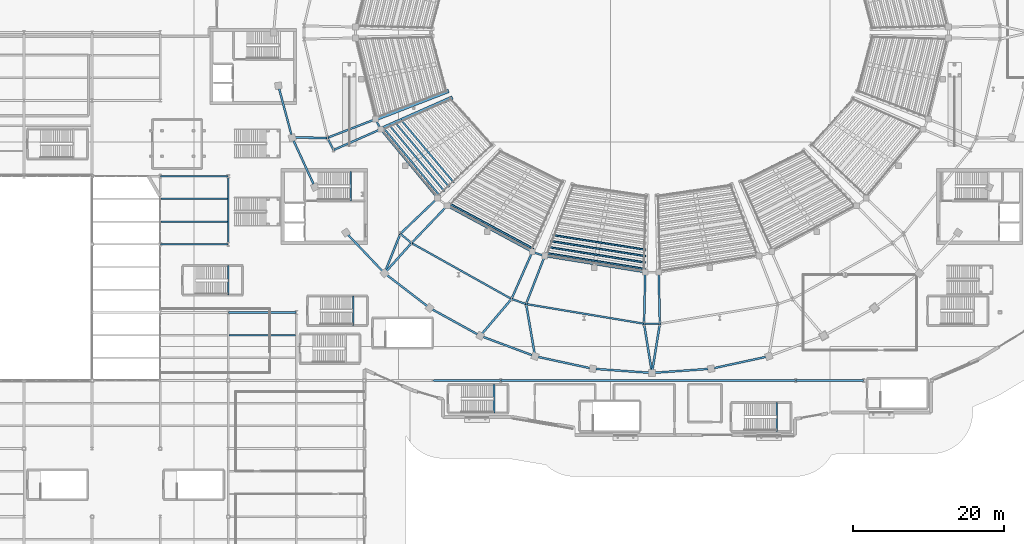
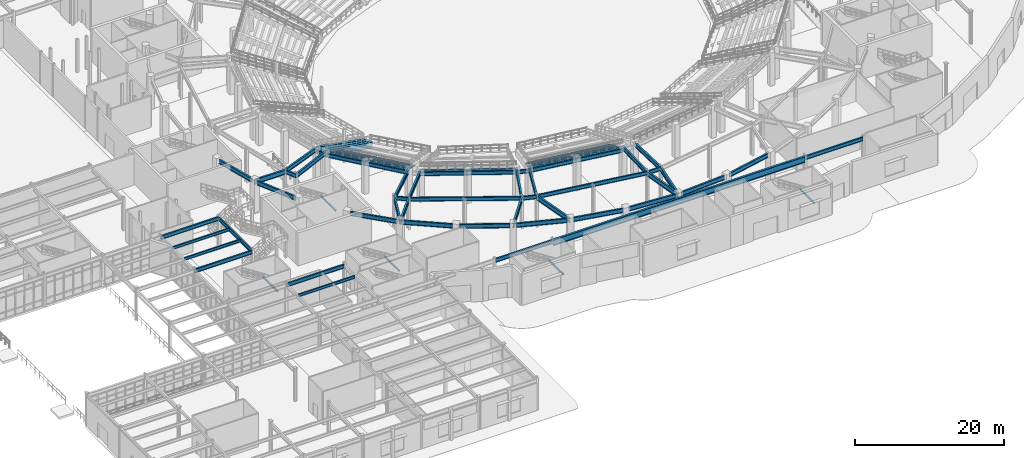
# One storey, part 31 of 79: 62 beams.
"""IFC4 building model written with IfcOpenShell, lengths in metres."""

import ifcopenshell
import ifcopenshell.guid

model = None  # the IFC model being written
_history = None  # IfcOwnerHistory: only IFC2X3 demands one
_inside = {}  # id of a spatial element -> (the spatial element, [elements in it])
_under = {}  # id of a project, library or spatial element -> (it, [spatial elements below it])
_declared = {}  # id of a project -> (the project, [libraries it declares])
_typed = {}  # id of a type object -> (the type object, [elements of that type])
_made_of = {}  # id of a material, layer set ... -> (it, [elements and type objects made of it])


def new_model(schema):
    """Start an empty IFC model of exactly this schema.

    Asked for "IFC4X3", IfcOpenShell would pick the latest addendum, in which some entities
    have other attributes; the version numbers below select the first issue.
    IFC2X3 requires an IfcOwnerHistory on every rooted entity: one is made here for all.
    """
    global model, _history
    if schema == "IFC4X3":
        model = ifcopenshell.file(schema_version=(4, 3, 0, 0))
    else:
        model = ifcopenshell.file(schema=schema)
    _inside.clear()
    _under.clear()
    _declared.clear()
    _typed.clear()
    _made_of.clear()
    _history = None
    if model.schema == "IFC2X3":
        org = make("IfcOrganization", Name="unknown")
        user = make(
            "IfcPersonAndOrganization",
            ThePerson=make("IfcPerson", FamilyName="unknown"),
            TheOrganization=org,
        )
        app = make(
            "IfcApplication",
            ApplicationDeveloper=org,
            Version="unknown",
            ApplicationFullName="unknown",
            ApplicationIdentifier="unknown",
        )
        _history = make(
            "IfcOwnerHistory",
            OwningUser=user,
            OwningApplication=app,
            ChangeAction="ADDED",
            CreationDate=0,
        )
    return model


def make(cls, **values):
    """One entity of the class cls with the attributes given. An attribute that is None is left unset."""
    return model.create_entity(
        cls, **{name: value for name, value in values.items() if value is not None}
    )


def rooted(cls, **values):
    """An entity with a GlobalId (a new one), such as an element, a storey or a relation."""
    return make(cls, GlobalId=ifcopenshell.guid.new(), OwnerHistory=_history, **values)


def si_unit(unit_type, name, prefix=None):
    """IfcSIUnit, for example si_unit("LENGTHUNIT", "METRE", prefix="MILLI")."""
    return make("IfcSIUnit", UnitType=unit_type, Prefix=prefix, Name=name)


def assignment(units):
    """IfcUnitAssignment: the units of a project."""
    return None if units is None else make("IfcUnitAssignment", Units=units)


def point(xyz):
    """IfcCartesianPoint."""
    return None if xyz is None else make("IfcCartesianPoint", Coordinates=xyz)


def direction(xyz):
    """IfcDirection."""
    return None if xyz is None else make("IfcDirection", DirectionRatios=xyz)


def frame(location, z_axis=None, x_axis=None):
    """IfcAxis2Placement3D, a coordinate frame: its origin and axes. An axis left out is left unset."""
    return make(
        "IfcAxis2Placement3D",
        Location=point(location),
        Axis=direction(z_axis),
        RefDirection=direction(x_axis),
    )


def frame_2d(location, x_axis=None):
    """IfcAxis2Placement2D, a coordinate frame in the plane: its origin and x axis."""
    return make(
        "IfcAxis2Placement2D", Location=point(location), RefDirection=direction(x_axis)
    )


def origin():
    """The frame at (0, 0, 0) with its axes left unset."""
    return frame((0.0, 0.0, 0.0))


def origin_2d():
    """The frame at (0, 0) in the plane with its x axis left unset."""
    return frame_2d((0.0, 0.0))


def place(relative_to, where):
    """IfcLocalPlacement: puts the frame where relative to a parent placement (None: the world)."""
    return make(
        "IfcLocalPlacement", PlacementRelTo=relative_to, RelativePlacement=where
    )


def context(
    kind, dimensions, precision=None, world=None, true_north=None, identifier=None
):
    """IfcGeometricRepresentationContext, for example the 3D "Model" context."""
    return make(
        "IfcGeometricRepresentationContext",
        ContextIdentifier=identifier,
        ContextType=kind,
        CoordinateSpaceDimension=dimensions,
        Precision=precision,
        WorldCoordinateSystem=world,
        TrueNorth=true_north,
    )


def subcontext(parent, identifier, kind, view, scale=None):
    """IfcGeometricRepresentationSubContext, for example "Body" below "Model"."""
    return make(
        "IfcGeometricRepresentationSubContext",
        ContextIdentifier=identifier,
        ContextType=kind,
        ParentContext=parent,
        TargetScale=scale,
        TargetView=view,
    )


def project(units=None, contexts=None):
    """IfcProject with its units and contexts."""
    return rooted(
        "IfcProject",
        Name="project",
        RepresentationContexts=contexts,
        UnitsInContext=assignment(units),
    )


def spatial(cls, under=None, at=None, **own):
    """A site, building, storey or space (cls), placed at a placement, below another one or the project."""
    s = rooted(cls, ObjectPlacement=at, **own)
    if under is not None:
        _under.setdefault(under.id(), (under, []))[1].append(s)
    return s


def profile(cls, at=None, kind="AREA", **sizes):
    """A parametric profile (cls). Its sizes go by their IFC names, for example OverallWidth=200.0."""
    return make(cls, ProfileType=kind, Position=at, **sizes)


def rectangle(**sizes):
    """IfcRectangleProfileDef."""
    return profile("IfcRectangleProfileDef", **sizes)


def hollow_rectangle(**sizes):
    """IfcRectangleHollowProfileDef."""
    return profile("IfcRectangleHollowProfileDef", **sizes)


def i_section(**sizes):
    """IfcIShapeProfileDef."""
    return profile("IfcIShapeProfileDef", **sizes)


def extrude(swept, where, along, depth):
    """IfcExtrudedAreaSolid: the profile swept, set in the frame where, extruded along a direction by depth."""
    return make(
        "IfcExtrudedAreaSolid",
        SweptArea=swept,
        Position=where,
        ExtrudedDirection=direction(along),
        Depth=depth,
    )


def shape(context_of_items, identifier, shape_type, items):
    """IfcShapeRepresentation: the items that make up one representation, for example the "Body"."""
    return make(
        "IfcShapeRepresentation",
        ContextOfItems=context_of_items,
        RepresentationIdentifier=identifier,
        RepresentationType=shape_type,
        Items=items,
    )


def material(Name=None, Category=None):
    """IfcMaterial."""
    return make("IfcMaterial", Name=Name, Category=Category)


def material_profile(
    of_material, cross_section, Name=None, Category=None, Priority=None
):
    """IfcMaterialProfile: a cross section and its material."""
    return make(
        "IfcMaterialProfile",
        Name=Name,
        Material=of_material,
        Profile=cross_section,
        Priority=Priority,
        Category=Category,
    )


def profile_set(profiles, Name=None, composite=None):
    """IfcMaterialProfileSet."""
    return make(
        "IfcMaterialProfileSet",
        Name=Name,
        MaterialProfiles=profiles,
        CompositeProfile=composite,
    )


def made_of(thing, what):
    """Note that an element or type object is made of a material, layer set ...; save() writes the relation."""
    if what is not None:
        _made_of.setdefault(what.id(), (what, []))[1].append(thing)
    return thing


def type_object(cls, material=None, **own):
    """A type object (cls), such as IfcWallType, which elements share."""
    return made_of(rooted(cls, **own), material)


def element(
    cls,
    number,
    at=None,
    inside=None,
    cuts=None,
    type_object=None,
    material=None,
    context=None,
    identifier="Body",
    shape_type=None,
    held_by="IfcProductDefinitionShape",
    body=None,
    shapes=None,
    **own,
):
    """One element of the class cls, such as IfcWall. Its Tag is "e" and its number.

    at: its placement. inside: the storey or other place that contains it. cuts: it is an
    opening in that element (IfcRelVoidsElement). A single representation is given by context,
    identifier, shape_type and body (its items); several are given by shapes. held_by: the class
    of the entity that holds the representations. save() writes the other relations.
    """
    e = rooted(cls, Tag="e%d" % number, ObjectPlacement=at, **own)
    if body is not None:
        shapes = [shape(context, identifier, shape_type, body)]
    if shapes is not None:
        e.Representation = make(held_by, Representations=shapes)
    if inside is not None:
        _inside.setdefault(inside.id(), (inside, []))[1].append(e)
    if cuts is not None:
        rooted(
            "IfcRelVoidsElement", RelatingBuildingElement=cuts, RelatedOpeningElement=e
        )
    if type_object is not None:
        _typed.setdefault(type_object.id(), (type_object, []))[1].append(e)
    return made_of(e, material)


def aggregate(whole, parts):
    """IfcRelAggregates: a whole, such as a stair, and the parts it consists of."""
    return rooted("IfcRelAggregates", RelatingObject=whole, RelatedObjects=parts)


def save(model, path):
    """Write the relations noted so far, then the file.

    IfcRelAggregates (storeys below a building ...), IfcRelContainedInSpatialStructure (elements
    in a storey), IfcRelDefinesByType, IfcRelAssociatesMaterial and IfcRelDeclares: one each for
    every whole, place, type object, material and project.
    """
    for whole, parts in _under.values():
        aggregate(whole, parts)
    for where, things in _inside.values():
        rooted(
            "IfcRelContainedInSpatialStructure",
            RelatedElements=things,
            RelatingStructure=where,
        )
    for kind, things in _typed.values():
        rooted("IfcRelDefinesByType", RelatedObjects=things, RelatingType=kind)
    for what, things in _made_of.values():
        rooted("IfcRelAssociatesMaterial", RelatedObjects=things, RelatingMaterial=what)
    for by, libraries in _declared.values():
        rooted("IfcRelDeclares", RelatingContext=by, RelatedDefinitions=libraries)
    model.write(path)


model = new_model("IFC4")

# Units and contexts
model_context = context("Model", 3, precision=1e-05, world=origin(), true_north=direction((0.0, 1.0)))
body_context = subcontext(model_context, "Body", "Model", "MODEL_VIEW")
ifc_project = project(units=[si_unit("LENGTHUNIT", "METRE"), si_unit("AREAUNIT", "SQUARE_METRE"), si_unit("VOLUMEUNIT", "CUBIC_METRE"), si_unit("PLANEANGLEUNIT", "RADIAN"), si_unit("MASSUNIT", "GRAM", prefix="KILO")], contexts=[model_context])

# Site, building, storey
site_placement = place(None, origin())
site = spatial("IfcSite", under=ifc_project, at=site_placement, CompositionType="ELEMENT")
building_placement = place(site_placement, origin())
building = spatial("IfcBuilding", under=site, at=building_placement, Name="Glasvene Arena", CompositionType="ELEMENT")
storey_placement = place(building_placement, origin())
storey = spatial("IfcBuildingStorey", under=building, at=storey_placement, Name="L00", CompositionType="ELEMENT", Elevation=0.0)

# Beams
ifc_material_1 = material(Name="Steel S355J2", Category="steel")
ifc_material_profile_1 = material_profile(ifc_material_1, i_section(OverallWidth=0.300048828125, OverallDepth=1.0, WebThickness=0.0166015625, FlangeThickness=0.031005859375, FilletRadius=0.030029296875, at=origin_2d()), Name="UKB 1016x305x272")
ifc_profile_set_1 = profile_set([ifc_material_profile_1], Name="Steel S355J2")
beam_type_1 = type_object("IfcBeamType", Name="BM-GIRD-1016", PredefinedType="BEAM", material=ifc_profile_set_1)
beam_1_placement = place(storey_placement, frame((72.050048828125, 27.0, 4.6201171875), z_axis=(1.0, 0.0, 0.0), x_axis=(0.0, 1.0, 0.0)))
element("IfcBeam", 1, at=beam_1_placement, inside=storey, type_object=beam_type_1, Name="Primary X girder L00-0300", PredefinedType="BEAM", context=body_context, shape_type="SweptSolid", body=[
    extrude(i_section(OverallWidth=0.300048828125, OverallDepth=1.0, WebThickness=0.0166015625, FlangeThickness=0.031005859375, FilletRadius=0.030029296875, at=origin_2d()), origin(), (0.0, 0.0, 1.0), 38.89990234375),
])
ifc_material_profile_2 = material_profile(ifc_material_1, i_section(OverallWidth=0.228271484375, OverallDepth=0.607666015625, WebThickness=0.010986328125, FlangeThickness=0.017333984375, FilletRadius=0.0126953125, at=origin_2d()), Name="UKB 610x229x113")
ifc_profile_set_2 = profile_set([ifc_material_profile_2], Name="Steel S355J2")
beam_type_2 = type_object("IfcBeamType", Name="BM-GIRD-610", PredefinedType="BEAM", material=ifc_profile_set_2)
for number, where, z_axis, x_axis, name in (
    (2, (63.050048828125, 27.0, 4.816162109375), (1.0, 0.0, 0.0), (0.0, 1.0, 0.0), "Primary X girder L00-0299"),
    (3, (111.050048828125, 27.0, 4.816162109375), (1.0, 0.0, 0.0), (0.0, 1.0, 0.0), "Primary X girder L00-0301"),
    (4, (36.050048828125, 36.0, 4.816162109375), (1.0, 0.0, 0.0), (0.0, 1.0, 0.0), "Primary X girder L00-0304"),
    (5, (27.050048828125, 45.0, 4.816162109375), (1.0, 0.0, 0.0), (0.0, 1.0, 0.0), "Primary X girder L00-0306"),
    (6, (27.050048828125, 54.0, 4.816162109375), (1.0, 0.0, 0.0), (0.0, 1.0, 0.0), "Primary X girder L00-0310"),
):
    element("IfcBeam", number, at=place(storey_placement, frame(where, z_axis=z_axis, x_axis=x_axis)), inside=storey, type_object=beam_type_2, Name=name, PredefinedType="BEAM", context=body_context, shape_type="SweptSolid", body=[
        extrude(i_section(OverallWidth=0.228271484375, OverallDepth=0.607666015625, WebThickness=0.010986328125, FlangeThickness=0.017333984375, FilletRadius=0.0126953125, at=origin_2d()), origin(), (0.0, 0.0, 1.0), 8.89990234375),
    ])
beam_2_placement = place(storey_placement, frame((36.0, 45.2451171875, 4.816162109375), z_axis=(0.0, 1.0, 0.0), x_axis=(-1.0, 0.0, 0.0)))
element("IfcBeam", 7, at=beam_2_placement, inside=storey, type_object=beam_type_2, Name="Primary Y girder L00-0387", PredefinedType="BEAM", context=body_context, shape_type="SweptSolid", body=[
    extrude(i_section(OverallWidth=0.228271484375, OverallDepth=0.607666015625, WebThickness=0.010986328125, FlangeThickness=0.017333984375, FilletRadius=0.0126953125, at=origin_2d()), origin(), (0.0, 0.0, 1.0), 8.57568359375),
])
beam_3_placement = place(storey_placement, frame((49.113037109375, 59.077392578125, 4.81494140625), z_axis=(0.443576698242, -0.896236415672, 0.0), x_axis=(0.896236415672, 0.443576698242, 0.0)))
element("IfcBeam", 8, at=beam_3_placement, inside=storey, type_object=beam_type_2, Name="Concourse inner ring girder L00-18", PredefinedType="BEAM", context=body_context, shape_type="SweptSolid", body=[
    extrude(i_section(OverallWidth=0.228271484375, OverallDepth=0.607666015625, WebThickness=0.010986328125, FlangeThickness=0.017333984375, FilletRadius=0.0126953125, at=origin_2d()), origin(), (0.0, 0.0, 1.0), 1.80078125),
])
beam_4_placement = place(storey_placement, frame((55.452880859375, 61.53662109375, 4.35009765625), z_axis=(0.455825325707, -0.890069251488, 0.0), x_axis=(0.890069251488, 0.455825325707, 0.0)))
element("IfcBeam", 9, at=beam_4_placement, inside=storey, type_object=beam_type_2, Name="Mid-bowl ring girder L00-18", PredefinedType="BEAM", context=body_context, shape_type="SweptSolid", body=[
    extrude(i_section(OverallWidth=0.228271484375, OverallDepth=0.607666015625, WebThickness=0.010986328125, FlangeThickness=0.017333984375, FilletRadius=0.0126953125, at=origin_2d()), origin(), (0.0, 0.0, 1.0), 1.4931640625),
])
beam_5_placement = place(storey_placement, frame((56.133544921875, 60.20751953125, 4.35009765625), z_axis=(0.636971685607, -0.770887197802, 0.0), x_axis=(0.770887197802, 0.636971685607, 0.0)))
element("IfcBeam", 10, at=beam_5_placement, inside=storey, type_object=beam_type_2, Name="Mid-bowl ring girder L00-19", PredefinedType="BEAM", context=body_context, shape_type="SweptSolid", body=[
    extrude(i_section(OverallWidth=0.228271484375, OverallDepth=0.607666015625, WebThickness=0.010986328125, FlangeThickness=0.017333984375, FilletRadius=0.0126953125, at=origin_2d()), origin(), (0.0, 0.0, 1.0), 11.8154296875),
])
beam_6_placement = place(storey_placement, frame((58.743408203125, 46.40087890625, 4.81494140625), z_axis=(0.766930434436, -0.641730246082, 0.0), x_axis=(0.641730246082, 0.766930434436, 0.0)))
element("IfcBeam", 11, at=beam_6_placement, inside=storey, type_object=beam_type_2, Name="Concourse inner ring girder L00-20", PredefinedType="BEAM", context=body_context, shape_type="SweptSolid", body=[
    extrude(i_section(OverallWidth=0.228271484375, OverallDepth=0.607666015625, WebThickness=0.010986328125, FlangeThickness=0.017333984375, FilletRadius=0.0126953125, at=origin_2d()), origin(), (0.0, 0.0, 1.0), 1.924560546875),
])
beam_7_placement = place(storey_placement, frame((60.219482421875, 45.165771484375, 4.81494140625), z_axis=(0.87279341778, -0.488089796943, 0.0), x_axis=(0.488089796943, 0.87279341778, 0.0)))
element("IfcBeam", 12, at=beam_7_placement, inside=storey, type_object=beam_type_2, Name="Concourse inner ring girder L00-21", PredefinedType="BEAM", context=body_context, shape_type="SweptSolid", body=[
    extrude(i_section(OverallWidth=0.228271484375, OverallDepth=0.607666015625, WebThickness=0.010986328125, FlangeThickness=0.017333984375, FilletRadius=0.0126953125, at=origin_2d()), origin(), (0.0, 0.0, 1.0), 15.14404296875),
])
beam_8_placement = place(storey_placement, frame((64.91748046875, 50.081787109375, 4.35009765625), z_axis=(0.879784979892, -0.475371843042, 0.0), x_axis=(0.475371843042, 0.879784979892, 0.0)))
element("IfcBeam", 13, at=beam_8_placement, inside=storey, type_object=beam_type_2, Name="Mid-bowl ring girder L00-21", PredefinedType="BEAM", context=body_context, shape_type="SweptSolid", body=[
    extrude(i_section(OverallWidth=0.228271484375, OverallDepth=0.607666015625, WebThickness=0.010986328125, FlangeThickness=0.017333984375, FilletRadius=0.0126953125, at=origin_2d()), origin(), (0.0, 0.0, 1.0), 12.802490234375),
])
beam_9_placement = place(storey_placement, frame((73.43701171875, 37.774169921875, 4.81494140625), z_axis=(0.944798184006, -0.327652852114, 0.0), x_axis=(0.327652852114, 0.944798184006, 0.0)))
element("IfcBeam", 14, at=beam_9_placement, inside=storey, type_object=beam_type_2, Name="Concourse inner ring girder L00-22", PredefinedType="BEAM", context=body_context, shape_type="SweptSolid", body=[
    extrude(i_section(OverallWidth=0.228271484375, OverallDepth=0.607666015625, WebThickness=0.010986328125, FlangeThickness=0.017333984375, FilletRadius=0.0126953125, at=origin_2d()), origin(), (0.0, 0.0, 1.0), 2.040771484375),
])
beam_10_placement = place(storey_placement, frame((76.180908203125, 43.995849609375, 4.35009765625), z_axis=(0.948203248213, -0.317664288326, 0.0), x_axis=(0.317664288326, 0.948203248213, 0.0)))
element("IfcBeam", 15, at=beam_10_placement, inside=storey, type_object=beam_type_2, Name="Mid-bowl ring girder L00-22", PredefinedType="BEAM", context=body_context, shape_type="SweptSolid", body=[
    extrude(i_section(OverallWidth=0.228271484375, OverallDepth=0.607666015625, WebThickness=0.010986328125, FlangeThickness=0.017333984375, FilletRadius=0.0126953125, at=origin_2d()), origin(), (0.0, 0.0, 1.0), 1.733154296875),
])
beam_11_placement = place(storey_placement, frame((75.365234375, 37.10546875, 4.81494140625), z_axis=(0.986425216298, -0.164211122194, 0.0), x_axis=(0.164211122194, 0.986425216298, 0.0)))
element("IfcBeam", 16, at=beam_11_placement, inside=storey, type_object=beam_type_2, Name="Concourse inner ring girder L00-23", PredefinedType="BEAM", context=body_context, shape_type="SweptSolid", body=[
    extrude(i_section(OverallWidth=0.228271484375, OverallDepth=0.607666015625, WebThickness=0.010986328125, FlangeThickness=0.017333984375, FilletRadius=0.0126953125, at=origin_2d()), origin(), (0.0, 0.0, 1.0), 15.8056640625),
])
beam_12_placement = place(storey_placement, frame((77.82421875, 43.4453125, 4.35009765625), z_axis=(0.987308283351, -0.15881547036, 0.0), x_axis=(0.15881547036, 0.987308283351, 0.0)))
element("IfcBeam", 17, at=beam_12_placement, inside=storey, type_object=beam_type_2, Name="Mid-bowl ring girder L00-23", PredefinedType="BEAM", context=body_context, shape_type="SweptSolid", body=[
    extrude(i_section(OverallWidth=0.228271484375, OverallDepth=0.607666015625, WebThickness=0.010986328125, FlangeThickness=0.017333984375, FilletRadius=0.0126953125, at=origin_2d()), origin(), (0.0, 0.0, 1.0), 13.457275390625),
])
beam_13_placement = place(storey_placement, frame((90.956298828125, 34.510009765625, 4.81494140625), z_axis=(1.0, 0.0, 0.0), x_axis=(0.0, 1.0, 0.0)))
element("IfcBeam", 18, at=beam_13_placement, inside=storey, type_object=beam_type_2, Name="Concourse inner ring girder L00-24", PredefinedType="BEAM", context=body_context, shape_type="SweptSolid", body=[
    extrude(i_section(OverallWidth=0.228271484375, OverallDepth=0.607666015625, WebThickness=0.010986328125, FlangeThickness=0.017333984375, FilletRadius=0.0126953125, at=origin_2d()), origin(), (0.0, 0.0, 1.0), 2.08740234375),
])
ifc_material_profile_3 = material_profile(ifc_material_1, i_section(OverallWidth=0.253662109375, OverallDepth=0.68359375, WebThickness=0.012451171875, FlangeThickness=0.01904296875, FilletRadius=0.01513671875, at=origin_2d()), Name="UKB 686x254x140")
ifc_profile_set_3 = profile_set([ifc_material_profile_3], Name="Steel S355J2")
beam_type_3 = type_object("IfcBeamType", Name="BM-GIRD-686", PredefinedType="BEAM", material=ifc_profile_set_3)
beam_14_placement = place(storey_placement, frame((42.723876953125, 65.5546875, 4.7783203125), z_axis=(0.257723273136, -0.966218771544, 0.0), x_axis=(0.966218771544, 0.257723273136, 0.0)))
element("IfcBeam", 19, at=beam_14_placement, inside=storey, type_object=beam_type_3, Name="Bowl ring chord beam L00-22", PredefinedType="BEAM", context=body_context, shape_type="SweptSolid", body=[
    extrude(i_section(OverallWidth=0.253662109375, OverallDepth=0.68359375, WebThickness=0.012451171875, FlangeThickness=0.01904296875, FilletRadius=0.01513671875, at=origin_2d()), origin(), (0.0, 0.0, 1.0), 6.266357421875),
])
beam_15_placement = place(storey_placement, frame((44.622802734375, 58.712646484375, 4.7783203125), z_axis=(0.418091163951, -0.908405074087, 0.0), x_axis=(0.908405074087, 0.418091163951, 0.0)))
element("IfcBeam", 20, at=beam_15_placement, inside=storey, type_object=beam_type_3, Name="Bowl ring chord beam L00-23", PredefinedType="BEAM", context=body_context, shape_type="SweptSolid", body=[
    extrude(i_section(OverallWidth=0.253662109375, OverallDepth=0.68359375, WebThickness=0.012451171875, FlangeThickness=0.01904296875, FilletRadius=0.01513671875, at=origin_2d()), origin(), (0.0, 0.0, 1.0), 6.341552734375),
])
beam_16_placement = place(storey_placement, frame((51.83837890625, 46.2451171875, 4.7783203125), z_axis=(0.688356315458, -0.725372720034, 0.0), x_axis=(0.725372720034, 0.688356315458, 0.0)))
element("IfcBeam", 21, at=beam_16_placement, inside=storey, type_object=beam_type_3, Name="Bowl ring chord beam L00-25", PredefinedType="BEAM", context=body_context, shape_type="SweptSolid", body=[
    extrude(i_section(OverallWidth=0.253662109375, OverallDepth=0.68359375, WebThickness=0.012451171875, FlangeThickness=0.01904296875, FilletRadius=0.01513671875, at=origin_2d()), origin(), (0.0, 0.0, 1.0), 6.5625),
])
beam_17_placement = place(storey_placement, frame((56.977783203125, 40.92431640625, 4.7783203125), z_axis=(0.792808596744, -0.60947069571, 0.0), x_axis=(0.60947069571, 0.792808596744, 0.0)))
element("IfcBeam", 22, at=beam_17_placement, inside=storey, type_object=beam_type_3, Name="Bowl ring chord beam L00-26", PredefinedType="BEAM", context=body_context, shape_type="SweptSolid", body=[
    extrude(i_section(OverallWidth=0.253662109375, OverallDepth=0.68359375, WebThickness=0.012451171875, FlangeThickness=0.01904296875, FilletRadius=0.01513671875, at=origin_2d()), origin(), (0.0, 0.0, 1.0), 6.684814453125),
])
beam_18_placement = place(storey_placement, frame((62.978515625, 36.391357421875, 4.7783203125), z_axis=(0.875645230087, -0.482954895436, 0.0), x_axis=(0.482954895436, 0.875645230087, 0.0)))
element("IfcBeam", 23, at=beam_18_placement, inside=storey, type_object=beam_type_3, Name="Bowl ring chord beam L00-27", PredefinedType="BEAM", context=body_context, shape_type="SweptSolid", body=[
    extrude(i_section(OverallWidth=0.253662109375, OverallDepth=0.68359375, WebThickness=0.012451171875, FlangeThickness=0.01904296875, FilletRadius=0.01513671875, at=origin_2d()), origin(), (0.0, 0.0, 1.0), 6.799560546875),
])
beam_19_placement = place(storey_placement, frame((69.694091796875, 32.758056640625, 4.7783203125), z_axis=(0.937003971107, -0.349318705668, 0.0), x_axis=(0.349318705668, 0.937003971107, 0.0)))
element("IfcBeam", 24, at=beam_19_placement, inside=storey, type_object=beam_type_3, Name="Bowl ring chord beam L00-28", PredefinedType="BEAM", context=body_context, shape_type="SweptSolid", body=[
    extrude(i_section(OverallWidth=0.253662109375, OverallDepth=0.68359375, WebThickness=0.012451171875, FlangeThickness=0.01904296875, FilletRadius=0.01513671875, at=origin_2d()), origin(), (0.0, 0.0, 1.0), 6.89599609375),
])
beam_20_placement = place(storey_placement, frame((76.959716796875, 30.11376953125, 4.7783203125), z_axis=(0.977438814508, -0.211218758382, 0.0), x_axis=(0.211218758382, 0.977438814508, 0.0)))
element("IfcBeam", 25, at=beam_20_placement, inside=storey, type_object=beam_type_3, Name="Bowl ring chord beam L00-29", PredefinedType="BEAM", context=body_context, shape_type="SweptSolid", body=[
    extrude(i_section(OverallWidth=0.253662109375, OverallDepth=0.68359375, WebThickness=0.012451171875, FlangeThickness=0.01904296875, FilletRadius=0.01513671875, at=origin_2d()), origin(), (0.0, 0.0, 1.0), 6.96533203125),
])
for number, where, z_axis, x_axis, name in (
    (26, (84.597412109375, 28.5244140625, 4.7783203125), (0.997501181168, -0.070649795247, 0.0), (0.070649795247, 0.997501181168, 0.0), "Bowl ring chord beam L00-30"),
    (27, (92.4189453125, 28.02978515625, 4.7783203125), (0.997501181168, 0.070649795247, 0.0), (-0.070649795247, 0.997501181168, 0.0), "Bowl ring chord beam L00-31"),
):
    element("IfcBeam", number, at=place(storey_placement, frame(where, z_axis=z_axis, x_axis=x_axis)), inside=storey, type_object=beam_type_3, Name=name, PredefinedType="BEAM", context=body_context, shape_type="SweptSolid", body=[
        extrude(i_section(OverallWidth=0.253662109375, OverallDepth=0.68359375, WebThickness=0.012451171875, FlangeThickness=0.01904296875, FilletRadius=0.01513671875, at=origin_2d()), origin(), (0.0, 0.0, 1.0), 7.001220703125),
    ])
beam_21_placement = place(storey_placement, frame((100.232177734375, 28.642578125, 4.7783203125), z_axis=(0.977438814508, 0.211218758382, 0.0), x_axis=(-0.211218758382, 0.977438814508, 0.0)))
element("IfcBeam", 28, at=beam_21_placement, inside=storey, type_object=beam_type_3, Name="Bowl ring chord beam L00-32", PredefinedType="BEAM", context=body_context, shape_type="SweptSolid", body=[
    extrude(i_section(OverallWidth=0.253662109375, OverallDepth=0.68359375, WebThickness=0.012451171875, FlangeThickness=0.01904296875, FilletRadius=0.01513671875, at=origin_2d()), origin(), (0.0, 0.0, 1.0), 6.96533203125),
])
for number, where, z_axis, x_axis, name in (
    (29, (55.452880859375, 61.53662109375, 4.7783203125), (-0.932315610983, -0.361645685052, 0.0), (0.361645685052, -0.932315610983, 0.0), "Mid-to-rear radial girder L00-18"),
    (30, (56.133544921875, 60.20751953125, 4.7783203125), (-0.914956794247, -0.40355181162, 0.0), (0.40355181162, -0.914956794247, 0.0), "Mid-to-rear radial girder L00-19"),
):
    element("IfcBeam", number, at=place(storey_placement, frame(where, z_axis=z_axis, x_axis=x_axis)), inside=storey, type_object=beam_type_3, Name=name, PredefinedType="BEAM", context=body_context, shape_type="SweptSolid", body=[
        extrude(i_section(OverallWidth=0.253662109375, OverallDepth=0.68359375, WebThickness=0.012451171875, FlangeThickness=0.01904296875, FilletRadius=0.01513671875, at=origin_2d()), origin(), (0.0, 0.0, 1.0), 6.800048828125),
    ])
beam_22_placement = place(storey_placement, frame((63.65966796875, 51.09912109375, 4.7783203125), z_axis=(-0.722955223934, -0.690894886496, 0.0), x_axis=(0.690894886496, -0.722955223934, 0.0)))
element("IfcBeam", 31, at=beam_22_placement, inside=storey, type_object=beam_type_3, Name="Mid-to-rear radial girder L00-20", PredefinedType="BEAM", context=body_context, shape_type="SweptSolid", body=[
    extrude(i_section(OverallWidth=0.253662109375, OverallDepth=0.68359375, WebThickness=0.012451171875, FlangeThickness=0.01904296875, FilletRadius=0.01513671875, at=origin_2d()), origin(), (0.0, 0.0, 1.0), 6.80029296875),
])
for number, where, z_axis, x_axis, name in (
    (32, (64.91748046875, 50.081787109375, 4.7783203125), (-0.690894054314, -0.722956019211, 0.0), (0.722956019211, -0.690894054314, 0.0), "Mid-to-rear radial girder L00-21"),
    (33, (76.180908203125, 43.995849609375, 4.7783203125), (-0.403521754761, -0.914970050567, 0.0), (0.914970050567, -0.403521754761, 0.0), "Mid-to-rear radial girder L00-22"),
):
    element("IfcBeam", number, at=place(storey_placement, frame(where, z_axis=z_axis, x_axis=x_axis)), inside=storey, type_object=beam_type_3, Name=name, PredefinedType="BEAM", context=body_context, shape_type="SweptSolid", body=[
        extrude(i_section(OverallWidth=0.253662109375, OverallDepth=0.68359375, WebThickness=0.012451171875, FlangeThickness=0.01904296875, FilletRadius=0.01513671875, at=origin_2d()), origin(), (0.0, 0.0, 1.0), 6.7998046875),
    ])
beam_23_placement = place(storey_placement, frame((77.82421875, 43.4453125, 4.7783203125), z_axis=(-0.361614477563, -0.932327715783, 0.0), x_axis=(0.932327715783, -0.361614477563, 0.0)))
element("IfcBeam", 34, at=beam_23_placement, inside=storey, type_object=beam_type_3, Name="Mid-to-rear radial girder L00-23", PredefinedType="BEAM", context=body_context, shape_type="SweptSolid", body=[
    extrude(i_section(OverallWidth=0.253662109375, OverallDepth=0.68359375, WebThickness=0.012451171875, FlangeThickness=0.01904296875, FilletRadius=0.01513671875, at=origin_2d()), origin(), (0.0, 0.0, 1.0), 6.800048828125),
])
for number, where, z_axis, x_axis, name in (
    (35, (91.110595703125, 41.30810546875, 4.7783203125), (-0.022691229062, -0.999742520914, 0.0), (0.999742520914, -0.022691229062, 0.0), "Mid-to-rear radial girder L00-24"),
    (36, (92.889404296875, 41.30810546875, 4.7783203125), (0.022691229062, -0.999742520914, 0.0), (0.999742520914, 0.022691229062, 0.0), "Mid-to-rear radial girder L00-25"),
):
    element("IfcBeam", number, at=place(storey_placement, frame(where, z_axis=z_axis, x_axis=x_axis)), inside=storey, type_object=beam_type_3, Name=name, PredefinedType="BEAM", context=body_context, shape_type="SweptSolid", body=[
        extrude(i_section(OverallWidth=0.253662109375, OverallDepth=0.68359375, WebThickness=0.012451171875, FlangeThickness=0.01904296875, FilletRadius=0.01513671875, at=origin_2d()), origin(), (0.0, 0.0, 1.0), 6.7998046875),
    ])
ifc_material_profile_4 = material_profile(ifc_material_1, i_section(OverallWidth=0.2666015625, OverallDepth=0.76220703125, WebThickness=0.014404296875, FlangeThickness=0.021484375, FilletRadius=0.0166015625, at=origin_2d()), Name="UKB 762x267x173")
ifc_profile_set_4 = profile_set([ifc_material_profile_4], Name="Steel S355J2")
beam_type_4 = type_object("IfcBeamType", Name="BM-GIRD-762", PredefinedType="BEAM", material=ifc_profile_set_4)
beam_24_placement = place(storey_placement, frame((49.113037109375, 59.077392578125, 4.739013671875), z_axis=(-0.999993482259, 0.003610462575, 0.0), x_axis=(-0.003610462575, -0.999993482259, 0.0)))
element("IfcBeam", 37, at=beam_24_placement, inside=storey, type_object=beam_type_4, Name="Radial concourse girder L00-18", PredefinedType="BEAM", context=body_context, shape_type="SweptSolid", body=[
    extrude(i_section(OverallWidth=0.2666015625, OverallDepth=0.76220703125, WebThickness=0.014404296875, FlangeThickness=0.021484375, FilletRadius=0.0166015625, at=origin_2d()), origin(), (0.0, 0.0, 1.0), 4.665771484375),
])
beam_25_placement = place(storey_placement, frame((58.743408203125, 46.40087890625, 4.739013671875), z_axis=(-0.372976095384, -0.927840952034, 0.0), x_axis=(0.927840952034, -0.372976095384, 0.0)))
element("IfcBeam", 38, at=beam_25_placement, inside=storey, type_object=beam_type_4, Name="Radial concourse girder L00-20", PredefinedType="BEAM", context=body_context, shape_type="SweptSolid", body=[
    extrude(i_section(OverallWidth=0.2666015625, OverallDepth=0.76220703125, WebThickness=0.014404296875, FlangeThickness=0.021484375, FilletRadius=0.0166015625, at=origin_2d()), origin(), (0.0, 0.0, 1.0), 5.626708984375),
])
beam_26_placement = place(storey_placement, frame((60.219482421875, 45.165771484375, 4.739013671875), z_axis=(-0.667691455448, -0.744438123904, 0.0), x_axis=(0.744438123904, -0.667691455448, 0.0)))
element("IfcBeam", 39, at=beam_26_placement, inside=storey, type_object=beam_type_4, Name="Radial concourse girder L00-21", PredefinedType="BEAM", context=body_context, shape_type="SweptSolid", body=[
    extrude(i_section(OverallWidth=0.2666015625, OverallDepth=0.76220703125, WebThickness=0.014404296875, FlangeThickness=0.021484375, FilletRadius=0.0166015625, at=origin_2d()), origin(), (0.0, 0.0, 1.0), 5.353759765625),
])
beam_27_placement = place(storey_placement, frame((73.43701171875, 37.774169921875, 4.739013671875), z_axis=(-0.647421006623, -0.762132560768, 0.0), x_axis=(0.762132560768, -0.647421006623, 0.0)))
element("IfcBeam", 40, at=beam_27_placement, inside=storey, type_object=beam_type_4, Name="Radial concourse girder L00-22", PredefinedType="BEAM", context=body_context, shape_type="SweptSolid", body=[
    extrude(i_section(OverallWidth=0.2666015625, OverallDepth=0.76220703125, WebThickness=0.014404296875, FlangeThickness=0.021484375, FilletRadius=0.0166015625, at=origin_2d()), origin(), (0.0, 0.0, 1.0), 6.38916015625),
])
beam_28_placement = place(storey_placement, frame((75.365234375, 37.10546875, 4.739013671875), z_axis=(0.169060564867, -0.985605664253, 0.0), x_axis=(0.985605664253, 0.169060564867, 0.0)))
element("IfcBeam", 41, at=beam_28_placement, inside=storey, type_object=beam_type_4, Name="Radial concourse girder L00-23", PredefinedType="BEAM", context=body_context, shape_type="SweptSolid", body=[
    extrude(i_section(OverallWidth=0.2666015625, OverallDepth=0.76220703125, WebThickness=0.014404296875, FlangeThickness=0.021484375, FilletRadius=0.0166015625, at=origin_2d()), origin(), (0.0, 0.0, 1.0), 7.00390625),
])
for number, where, z_axis, x_axis, name in (
    (42, (90.956298828125, 34.510009765625, 4.739013671875), (0.158300997848, -0.987390902369, 0.0), (0.987390902369, 0.158300997848, 0.0), "Radial concourse girder L00-24"),
    (43, (93.043701171875, 34.510009765625, 4.739013671875), (-0.158300997848, -0.987390902369, 0.0), (0.987390902369, -0.158300997848, 0.0), "Radial concourse girder L00-25"),
):
    element("IfcBeam", number, at=place(storey_placement, frame(where, z_axis=z_axis, x_axis=x_axis)), inside=storey, type_object=beam_type_4, Name=name, PredefinedType="BEAM", context=body_context, shape_type="SweptSolid", body=[
        extrude(i_section(OverallWidth=0.2666015625, OverallDepth=0.76220703125, WebThickness=0.014404296875, FlangeThickness=0.021484375, FilletRadius=0.0166015625, at=origin_2d()), origin(), (0.0, 0.0, 1.0), 6.59326171875),
    ])
ifc_material_profile_5 = material_profile(ifc_material_1, i_section(OverallWidth=0.1904296875, OverallDepth=0.45703125, WebThickness=0.009033203125, FlangeThickness=0.014404296875, FilletRadius=0.01025390625, at=origin_2d()), Name="UKB 457x191x74")
ifc_profile_set_5 = profile_set([ifc_material_profile_5], Name="Steel S355J2")
beam_type_5 = type_object("IfcBeamType", Name="BM-JOIST-457", PredefinedType="JOIST", material=ifc_profile_set_5)
for number, where, z_axis, x_axis, name in (
    (44, (27.110107421875, 48.0, 4.8916015625), (1.0, 0.0, 0.0), (0.0, 1.0, 0.0), "Composite floor joist L00-0464"),
    (45, (27.110107421875, 51.0, 4.8916015625), (1.0, 0.0, 0.0), (0.0, 1.0, 0.0), "Composite floor joist L00-0465"),
    (46, (36.110107421875, 33.0, 4.8916015625), (1.0, 0.0, 0.0), (0.0, 1.0, 0.0), "Composite floor joist L00-0475"),
):
    element("IfcBeam", number, at=place(storey_placement, frame(where, z_axis=z_axis, x_axis=x_axis)), inside=storey, type_object=beam_type_5, Name=name, PredefinedType="JOIST", context=body_context, shape_type="SweptSolid", body=[
        extrude(i_section(OverallWidth=0.1904296875, OverallDepth=0.45703125, WebThickness=0.009033203125, FlangeThickness=0.014404296875, FilletRadius=0.01025390625, at=origin_2d()), origin(), (0.0, 0.0, 1.0), 8.77978515625),
    ])
ifc_material_profile_6 = material_profile(ifc_material_1, hollow_rectangle(XDim=0.199951171875, YDim=0.199951171875, WallThickness=0.010009765625, at=origin_2d()), Name="SHS 200x200x10.0")
ifc_profile_set_6 = profile_set([ifc_material_profile_6], Name="Steel S355J2")
beam_type_6 = type_object("IfcBeamType", Name="BM-LINTEL-200", PredefinedType="LINTEL", material=ifc_profile_set_6)
beam_29_placement = place(storey_placement, frame((52.169921875, 50.72998046875, 2.3798828125), z_axis=(0.0, 1.0, 0.0), x_axis=(-1.0, 0.0, 0.0)))
element("IfcBeam", 47, at=beam_29_placement, inside=storey, type_object=beam_type_6, Name="Stair half-landing support beam ST-03-L00", PredefinedType="LINTEL", context=body_context, shape_type="SweptSolid", body=[
    extrude(hollow_rectangle(XDim=0.199951171875, YDim=0.199951171875, WallThickness=0.010009765625, at=origin_2d()), origin(), (0.0, 0.0, 1.0), 3.89013671875),
])
beam_30_placement = place(storey_placement, frame((52.52001953125, 34.280029296875, 2.3798828125), z_axis=(0.0, 1.0, 0.0), x_axis=(-1.0, 0.0, 0.0)))
element("IfcBeam", 48, at=beam_30_placement, inside=storey, type_object=beam_type_6, Name="Stair half-landing support beam ST-05-L00", PredefinedType="LINTEL", context=body_context, shape_type="SweptSolid", body=[
    extrude(hollow_rectangle(XDim=0.199951171875, YDim=0.199951171875, WallThickness=0.010009765625, at=origin_2d()), origin(), (0.0, 0.0, 1.0), 3.889892578125),
])
for number, where, z_axis, x_axis, name in (
    (49, (71.1201171875, 22.679931640625, 2.3798828125), (0.0, 1.0, 0.0), (-1.0, 0.0, 0.0), "Stair half-landing support beam ST-08-L00"),
    (50, (108.52001953125, 20.280029296875, 2.3798828125), (0.0, 1.0, 0.0), (-1.0, 0.0, 0.0), "Stair half-landing support beam ST-09-L00"),
):
    element("IfcBeam", number, at=place(storey_placement, frame(where, z_axis=z_axis, x_axis=x_axis)), inside=storey, type_object=beam_type_6, Name=name, PredefinedType="LINTEL", context=body_context, shape_type="SweptSolid", body=[
        extrude(hollow_rectangle(XDim=0.199951171875, YDim=0.199951171875, WallThickness=0.010009765625, at=origin_2d()), origin(), (0.0, 0.0, 1.0), 3.7900390625),
    ])
beam_31_placement = place(storey_placement, frame((36.02001953125, 38.280029296875, 2.3798828125), z_axis=(0.0, 1.0, 0.0), x_axis=(-1.0, 0.0, 0.0)))
element("IfcBeam", 51, at=beam_31_placement, inside=storey, type_object=beam_type_6, Name="Stair half-landing support beam ST-15-L00", PredefinedType="LINTEL", context=body_context, shape_type="SweptSolid", body=[
    extrude(hollow_rectangle(XDim=0.199951171875, YDim=0.199951171875, WallThickness=0.010009765625, at=origin_2d()), origin(), (0.0, 0.0, 1.0), 3.889892578125),
])
ifc_material_2 = material(Name="Precast concrete C50/60", Category="concrete")
ifc_material_profile_7 = material_profile(ifc_material_2, rectangle(XDim=0.5, YDim=0.89990234375, at=origin_2d()), Name="RC 500x900")
ifc_profile_set_7 = profile_set([ifc_material_profile_7], Name="Precast concrete C50/60")
beam_type_7 = type_object("IfcBeamType", Name="BM-RAKER-LOW", PredefinedType="USERDEFINED", material=ifc_profile_set_7)
for number, where, z_axis, x_axis, name in (
    (52, (64.962646484375, 65.22509765625, 0.2900390625), (-0.856077067342, -0.332039749779, 0.396082894528), (0.361614477563, -0.932327715783, 0.0), "Lower bowl raker beam RKL-09-3"),
    (53, (65.46630859375, 64.32373046875, 0.2900390625), (-0.840132416913, -0.370539999193, 0.396077809339), (0.403542974047, -0.914960692105, 0.0), "Lower bowl raker beam RKL-10-1"),
):
    element("IfcBeam", number, at=place(storey_placement, frame(where, z_axis=z_axis, x_axis=x_axis)), inside=storey, type_object=beam_type_7, Name=name, ObjectType="RAKER BEAM", PredefinedType="USERDEFINED", context=body_context, shape_type="SweptSolid", body=[
        extrude(rectangle(XDim=0.5, YDim=0.89990234375, at=origin_2d()), origin(), (0.0, 0.0, 1.0), 11.108642578125),
    ])
ifc_material_profile_8 = material_profile(ifc_material_2, rectangle(XDim=0.219970703125, YDim=0.219970703125, at=origin_2d()), Name="RC 220x220")
ifc_profile_set_8 = profile_set([ifc_material_profile_8], Name="Precast concrete C50/60")
beam_type_8 = type_object("IfcBeamType", Name="BM-TIER-BEARER", PredefinedType="BEAM", material=ifc_profile_set_8)
beam_32_placement = place(storey_placement, frame((58.860107421875, 61.41015625, 3.465087890625), z_axis=(0.644400439475, -0.764688219867, 0.0), x_axis=(0.764688219867, 0.644400439475, 0.0)))
element("IfcBeam", 54, at=beam_32_placement, inside=storey, type_object=beam_type_8, Name="Lower tier precast row bearer 10-R09", PredefinedType="BEAM", context=body_context, shape_type="SweptSolid", body=[
    extrude(rectangle(XDim=0.219970703125, YDim=0.219970703125, at=origin_2d()), origin(), (0.0, 0.0, 1.0), 10.79150390625),
])
beam_33_placement = place(storey_placement, frame((58.08251953125, 61.067138671875, 3.844970703125), z_axis=(0.642136609284, -0.766590226273, 0.0), x_axis=(0.766590226273, 0.642136609284, 0.0)))
element("IfcBeam", 55, at=beam_33_placement, inside=storey, type_object=beam_type_8, Name="Lower tier precast row bearer 10-R10", PredefinedType="BEAM", context=body_context, shape_type="SweptSolid", body=[
    extrude(rectangle(XDim=0.219970703125, YDim=0.219970703125, at=origin_2d()), origin(), (0.0, 0.0, 1.0), 11.08349609375),
])
beam_34_placement = place(storey_placement, frame((57.3046875, 60.72412109375, 4.22509765625), z_axis=(0.640007060348, -0.768369027684, 0.0), x_axis=(0.768369027684, 0.640007060348, 0.0)))
element("IfcBeam", 56, at=beam_34_placement, inside=storey, type_object=beam_type_8, Name="Lower tier precast row bearer 10-R11", PredefinedType="BEAM", context=body_context, shape_type="SweptSolid", body=[
    extrude(rectangle(XDim=0.219970703125, YDim=0.219970703125, at=origin_2d()), origin(), (0.0, 0.0, 1.0), 11.375732421875),
])
beam_35_placement = place(storey_placement, frame((56.527099609375, 60.381103515625, 4.60498046875), z_axis=(0.637956893012, -0.770072076275, 0.0), x_axis=(0.770072076275, 0.637956893012, 0.0)))
element("IfcBeam", 57, at=beam_35_placement, inside=storey, type_object=beam_type_8, Name="Lower tier precast row bearer 10-R12", PredefinedType="BEAM", context=body_context, shape_type="SweptSolid", body=[
    extrude(rectangle(XDim=0.219970703125, YDim=0.219970703125, at=origin_2d()), origin(), (0.0, 0.0, 1.0), 11.66796875),
])
beam_36_placement = place(storey_placement, frame((65.214599609375, 50.392822265625, 4.60498046875), z_axis=(0.880297585469, -0.474421922994, 0.0), x_axis=(0.474421922994, 0.880297585469, 0.0)))
element("IfcBeam", 58, at=beam_36_placement, inside=storey, type_object=beam_type_8, Name="Lower tier precast row bearer 11-R12", PredefinedType="BEAM", context=body_context, shape_type="SweptSolid", body=[
    extrude(rectangle(XDim=0.219970703125, YDim=0.219970703125, at=origin_2d()), origin(), (0.0, 0.0, 1.0), 12.65478515625),
])
beam_37_placement = place(storey_placement, frame((78.902099609375, 46.2236328125, 3.465087890625), z_axis=(0.987788437003, -0.155801167271, 0.0), x_axis=(0.155801167271, 0.987788437003, 0.0)))
element("IfcBeam", 59, at=beam_37_placement, inside=storey, type_object=beam_type_8, Name="Lower tier precast row bearer 12-R09", PredefinedType="BEAM", context=body_context, shape_type="SweptSolid", body=[
    extrude(rectangle(XDim=0.219970703125, YDim=0.219970703125, at=origin_2d()), origin(), (0.0, 0.0, 1.0), 12.427978515625),
])
beam_38_placement = place(storey_placement, frame((78.594482421875, 45.43115234375, 3.844970703125), z_axis=(0.987644110805, -0.156713465895, 0.0), x_axis=(0.156713465895, 0.987644110805, 0.0)))
element("IfcBeam", 60, at=beam_38_placement, inside=storey, type_object=beam_type_8, Name="Lower tier precast row bearer 12-R10", PredefinedType="BEAM", context=body_context, shape_type="SweptSolid", body=[
    extrude(rectangle(XDim=0.219970703125, YDim=0.219970703125, at=origin_2d()), origin(), (0.0, 0.0, 1.0), 12.7216796875),
])
beam_39_placement = place(storey_placement, frame((78.287109375, 44.638671875, 4.22509765625), z_axis=(0.987507966255, -0.15756908511, 0.0), x_axis=(0.15756908511, 0.987507966255, 0.0)))
element("IfcBeam", 61, at=beam_39_placement, inside=storey, type_object=beam_type_8, Name="Lower tier precast row bearer 12-R11", PredefinedType="BEAM", context=body_context, shape_type="SweptSolid", body=[
    extrude(rectangle(XDim=0.219970703125, YDim=0.219970703125, at=origin_2d()), origin(), (0.0, 0.0, 1.0), 13.01513671875),
])
beam_40_placement = place(storey_placement, frame((77.979736328125, 43.84619140625, 4.60498046875), z_axis=(0.987374264433, -0.158404740885, 0.0), x_axis=(0.158404740885, 0.987374264433, 0.0)))
element("IfcBeam", 62, at=beam_40_placement, inside=storey, type_object=beam_type_8, Name="Lower tier precast row bearer 12-R12", PredefinedType="BEAM", context=body_context, shape_type="SweptSolid", body=[
    extrude(rectangle(XDim=0.219970703125, YDim=0.219970703125, at=origin_2d()), origin(), (0.0, 0.0, 1.0), 13.30859375),
])

save(model, "model.ifc")
